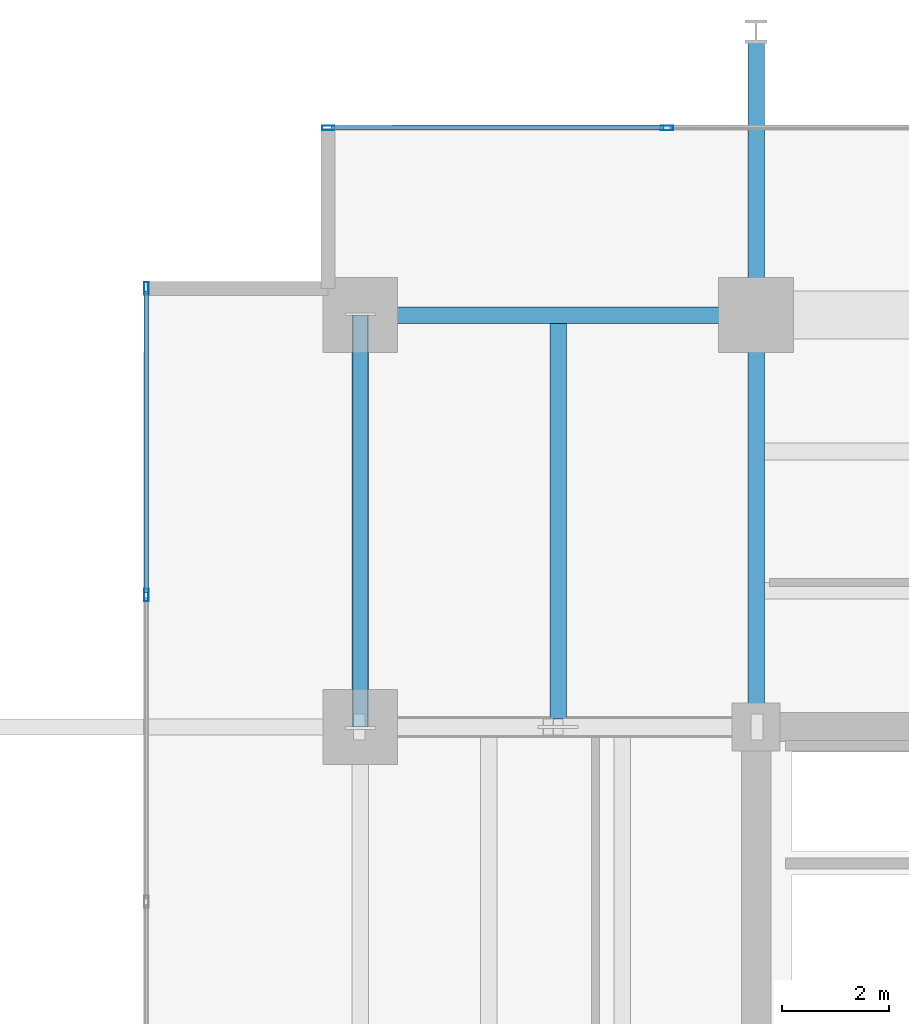
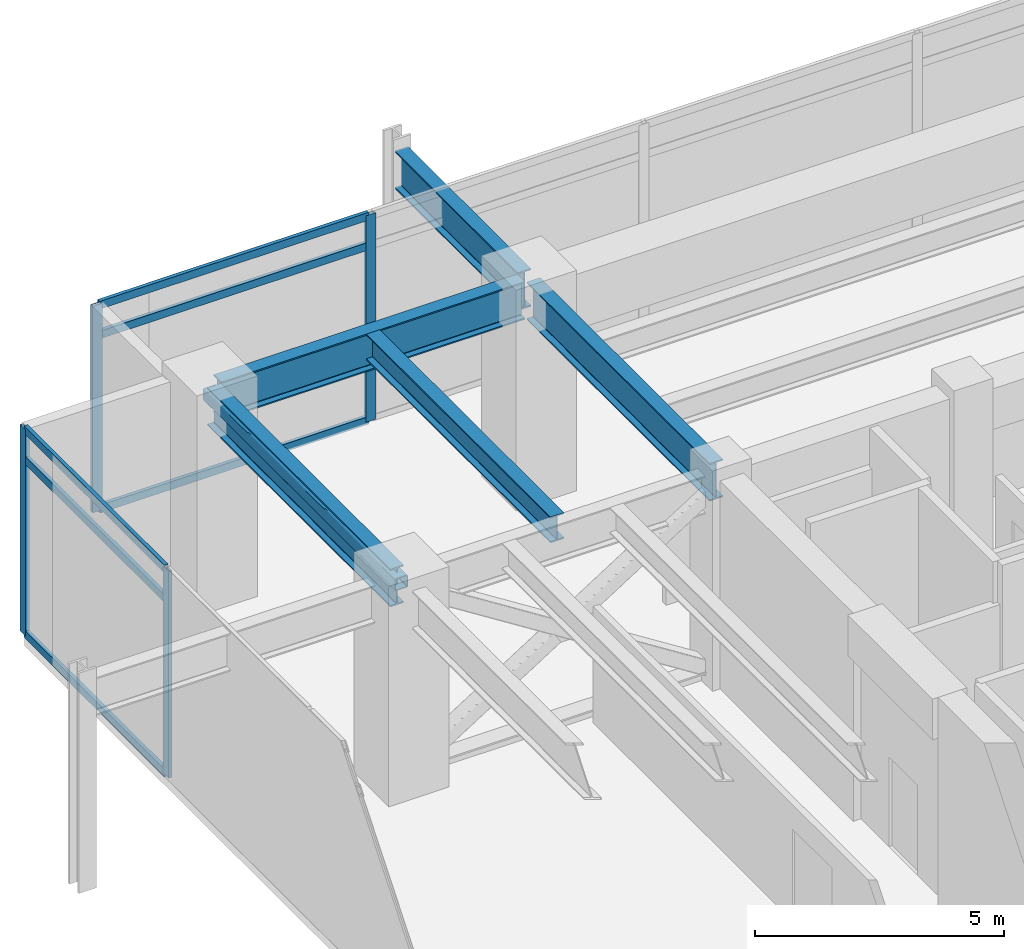
# One storey, part 12 of 21: 11 members, 5 beams, 2 elements without a shape of their own.
"""IFC4 building model written with IfcOpenShell, lengths in metres."""

from ifc_helpers import new_model, si_unit, direction, frame, origin, origin_2d, place, context, subcontext, project, spatial, hollow_rectangle, i_section, extrude, material, material_profile, profile_set, type_object, element, aggregate, save


model = new_model("IFC4")

# Units and contexts
model_context = context("Model", 3, precision=1e-05, world=origin(), true_north=direction((0.0, 1.0)))
body_context = subcontext(model_context, "Body", "Model", "MODEL_VIEW")
ifc_project = project(units=[si_unit("LENGTHUNIT", "METRE"), si_unit("AREAUNIT", "SQUARE_METRE"), si_unit("VOLUMEUNIT", "CUBIC_METRE"), si_unit("PLANEANGLEUNIT", "RADIAN"), si_unit("MASSUNIT", "GRAM", prefix="KILO")], contexts=[model_context])

# Site, building, storey
site_placement = place(None, origin())
site = spatial("IfcSite", under=ifc_project, at=site_placement, CompositionType="ELEMENT")
building_placement = place(site_placement, origin())
building = spatial("IfcBuilding", under=site, at=building_placement, Name="Kovane Verandah Tower", CompositionType="ELEMENT")
storey_placement = place(building_placement, frame((0.0, 0.0, 189.39990234375)))
storey = spatial("IfcBuildingStorey", under=building, at=storey_placement, Name="L44", CompositionType="ELEMENT", Elevation=189.39990234375)

# Beams
ifc_material_1 = material(Name="Steel S460", Category="steel")
ifc_material_profile_1 = material_profile(ifc_material_1, i_section(OverallWidth=0.311279296875, OverallDepth=0.6357421875, WebThickness=0.018310546875, FlangeThickness=0.031494140625, FilletRadius=0.0166015625, at=origin_2d()), Name="UB610x305x238")
ifc_profile_set_1 = profile_set([ifc_material_profile_1], Name="Steel S460")
beam_type_1 = type_object("IfcBeamType", Name="BM-UB610x238", PredefinedType="BEAM", material=ifc_profile_set_1)
beam_1_placement = place(storey_placement, frame((25.300048828125, 36.65185546875, 4.7822265625), z_axis=(0.0, 1.0, 0.0), x_axis=(-1.0, 0.0, 0.0)))
element("IfcBeam", 1, at=beam_1_placement, inside=storey, type_object=beam_type_1, Name="L44 Secondary Composite Joist J-NW1", PredefinedType="BEAM", context=body_context, shape_type="SweptSolid", body=[
    extrude(i_section(OverallWidth=0.311279296875, OverallDepth=0.6357421875, WebThickness=0.018310546875, FlangeThickness=0.031494140625, FilletRadius=0.0166015625, at=origin_2d()), origin(), (0.0, 0.0, 1.0), 7.396240234375),
])
ifc_material_profile_2 = material_profile(ifc_material_1, i_section(OverallWidth=0.3076171875, OverallDepth=0.926513671875, WebThickness=0.01953125, FlangeThickness=0.031982421875, FilletRadius=0.01904296875, at=origin_2d()), Name="UB914x305x289")
ifc_profile_set_2 = profile_set([ifc_material_profile_2], Name="Steel S460")
beam_type_2 = type_object("IfcBeamType", Name="BM-UB914x289", PredefinedType="BEAM", material=ifc_profile_set_2)
beam_2_placement = place(storey_placement, frame((21.780029296875, 44.199951171875, 4.63671875), z_axis=(1.0, 0.0, 0.0), x_axis=(0.0, 1.0, 0.0)))
element("IfcBeam", 2, at=beam_2_placement, inside=storey, type_object=beam_type_2, Name="L44 Primary Tower Girder G-RN1", PredefinedType="BEAM", context=body_context, shape_type="SweptSolid", body=[
    extrude(i_section(OverallWidth=0.3076171875, OverallDepth=0.926513671875, WebThickness=0.01953125, FlangeThickness=0.031982421875, FilletRadius=0.01904296875, at=origin_2d()), origin(), (0.0, 0.0, 1.0), 7.0400390625),
])
for number, where, z_axis, x_axis, name in (
    (3, (21.60009765625, 36.679931640625, 4.63671875), (0.0, 1.0, 0.0), (-1.0, 0.0, 0.0), "L44 Primary Tower Girder G-RW3"),
    (4, (29.0, 36.679931640625, 4.63671875), (0.0, 1.0, 0.0), (-1.0, 0.0, 0.0), "L44 Primary Tower Girder G-N1"),
):
    element("IfcBeam", number, at=place(storey_placement, frame(where, z_axis=z_axis, x_axis=x_axis)), inside=storey, type_object=beam_type_2, Name=name, PredefinedType="BEAM", context=body_context, shape_type="SweptSolid", body=[
        extrude(i_section(OverallWidth=0.3076171875, OverallDepth=0.926513671875, WebThickness=0.01953125, FlangeThickness=0.031982421875, FilletRadius=0.01904296875, at=origin_2d()), origin(), (0.0, 0.0, 1.0), 7.340087890625),
    ])
beam_3_placement = place(storey_placement, frame((29.0, 44.3798828125, 4.63671875), z_axis=(0.0, 1.0, 0.0), x_axis=(-1.0, 0.0, 0.0)))
element("IfcBeam", 5, at=beam_3_placement, inside=storey, type_object=beam_type_2, Name="L44 Primary Tower Girder G-VN1", PredefinedType="BEAM", context=body_context, shape_type="SweptSolid", body=[
    extrude(i_section(OverallWidth=0.3076171875, OverallDepth=0.926513671875, WebThickness=0.01953125, FlangeThickness=0.031982421875, FilletRadius=0.01904296875, at=origin_2d()), origin(), (0.0, 0.0, 1.0), 4.940185546875),
])

# Curtain wall, members
ifc_material_2 = material(Name="Champagne Anodised Aluminium Frame with Low-E Clear Laminated Glass", Category="aluminium")
curtain_wall_type = type_object("IfcCurtainWallType", Name="CW-SYS-04-WAIST", PredefinedType="NOTDEFINED", material=ifc_material_2)
curtain_wall_1_placement = place(storey_placement, origin())
curtain_wall_1 = element("IfcCurtainWall", 6, at=curtain_wall_1_placement, inside=storey, type_object=curtain_wall_type, Name="L44 N Unitised Curtain Wall", PredefinedType="NOTDEFINED")
ifc_material_3 = material(Name="Champagne Anodised Aluminium 6063-T6", Category="aluminium")
ifc_material_profile_3 = material_profile(ifc_material_3, hollow_rectangle(XDim=0.0849609375, YDim=0.22998046875, WallThickness=0.00390625, at=origin_2d()), Name="AL85x230x4")
ifc_profile_set_3 = profile_set([ifc_material_profile_3], Name="Champagne Anodised Aluminium 6063-T6")
member_type_1 = type_object("IfcMemberType", Name="CW-MUL-85x230", PredefinedType="MULLION", material=ifc_profile_set_3)
member_1_placement = place(storey_placement, frame((27.333251953125, 47.699951171875, 0.02001953125), z_axis=(0.0, 0.0, 1.0), x_axis=(0.0, 1.0, 0.0)))
member_1 = element("IfcMember", 7, at=member_1_placement, type_object=member_type_1, Name="L44 N Unitised Curtain Wall Mullion 6", PredefinedType="MULLION", context=body_context, shape_type="SweptSolid", body=[
    extrude(hollow_rectangle(XDim=0.0849609375, YDim=0.22998046875, WallThickness=0.00390625, at=origin_2d()), origin(), (0.0, 0.0, 1.0), 5.06005859375),
])
member_2_placement = place(storey_placement, frame((21.0, 47.699951171875, 0.02001953125), z_axis=(0.0, 0.0, 1.0), x_axis=(0.0, 1.0, 0.0)))
member_2 = element("IfcMember", 8, at=member_2_placement, type_object=member_type_1, Name="L44 N Unitised Curtain Wall Mullion 7", PredefinedType="MULLION", context=body_context, shape_type="SweptSolid", body=[
    extrude(hollow_rectangle(XDim=0.0849609375, YDim=0.22998046875, WallThickness=0.00390625, at=origin_2d()), origin(), (0.0, 0.0, 1.0), 5.06005859375),
])

curtain_wall_2_placement = place(storey_placement, origin())
curtain_wall_2 = element("IfcCurtainWall", 9, at=curtain_wall_2_placement, inside=storey, type_object=curtain_wall_type, Name="L44 W Unitised Curtain Wall", PredefinedType="NOTDEFINED")
member_3_placement = place(storey_placement, frame((17.60009765625, 44.699951171875, 0.02001953125), z_axis=(0.0, 0.0, 1.0), x_axis=(-1.0, 0.0, 0.0)))
member_3 = element("IfcMember", 10, at=member_3_placement, type_object=member_type_1, Name="L44 W Unitised Curtain Wall Mullion 1", PredefinedType="MULLION", context=body_context, shape_type="SweptSolid", body=[
    extrude(hollow_rectangle(XDim=0.0849609375, YDim=0.22998046875, WallThickness=0.00390625, at=origin_2d()), origin(), (0.0, 0.0, 1.0), 5.06005859375),
])
member_4_placement = place(storey_placement, frame((17.60009765625, 38.966796875, 0.02001953125), z_axis=(0.0, 0.0, 1.0), x_axis=(-1.0, 0.0, 0.0)))
member_4 = element("IfcMember", 11, at=member_4_placement, type_object=member_type_1, Name="L44 W Unitised Curtain Wall Mullion 2", PredefinedType="MULLION", context=body_context, shape_type="SweptSolid", body=[
    extrude(hollow_rectangle(XDim=0.0849609375, YDim=0.22998046875, WallThickness=0.00390625, at=origin_2d()), origin(), (0.0, 0.0, 1.0), 5.06005859375),
])

# Member
ifc_material_profile_4 = material_profile(ifc_material_3, hollow_rectangle(XDim=0.0849609375, YDim=0.18994140625, WallThickness=0.00390625, at=origin_2d()), Name="AL85x190x4")
ifc_profile_set_4 = profile_set([ifc_material_profile_4], Name="Champagne Anodised Aluminium 6063-T6")
member_type_2 = type_object("IfcMemberType", Name="CW-TRN-85x190", PredefinedType="USERDEFINED", material=ifc_profile_set_4)
member_5_placement = place(storey_placement, frame((27.283203125, 47.699951171875, 0.050048828125), z_axis=(-1.0, 0.0, 0.0), x_axis=(0.0, -1.0, 0.0)))
member_5 = element("IfcMember", 12, at=member_5_placement, type_object=member_type_2, Name="L44 N Unitised Curtain Wall Transom TB Bay 6", ObjectType="TRANSOM", PredefinedType="USERDEFINED", context=body_context, shape_type="SweptSolid", body=[
    extrude(hollow_rectangle(XDim=0.0849609375, YDim=0.18994140625, WallThickness=0.00390625, at=origin_2d()), origin(), (0.0, 0.0, 1.0), 6.233154296875),
])

member_6_placement = place(storey_placement, frame((27.283203125, 47.699951171875, 4.320068359375), z_axis=(-1.0, 0.0, 0.0), x_axis=(0.0, -1.0, 0.0)))
member_6 = element("IfcMember", 13, at=member_6_placement, type_object=member_type_2, Name="L44 N Unitised Curtain Wall Transom TM Bay 6", ObjectType="TRANSOM", PredefinedType="USERDEFINED", context=body_context, shape_type="SweptSolid", body=[
    extrude(hollow_rectangle(XDim=0.0849609375, YDim=0.18994140625, WallThickness=0.00390625, at=origin_2d()), origin(), (0.0, 0.0, 1.0), 6.233154296875),
])

member_7_placement = place(storey_placement, frame((27.283203125, 47.699951171875, 5.050048828125), z_axis=(-1.0, 0.0, 0.0), x_axis=(0.0, -1.0, 0.0)))
member_7 = element("IfcMember", 14, at=member_7_placement, type_object=member_type_2, Name="L44 N Unitised Curtain Wall Transom TT Bay 6", ObjectType="TRANSOM", PredefinedType="USERDEFINED", context=body_context, shape_type="SweptSolid", body=[
    extrude(hollow_rectangle(XDim=0.0849609375, YDim=0.18994140625, WallThickness=0.00390625, at=origin_2d()), origin(), (0.0, 0.0, 1.0), 6.233154296875),
])

aggregate(curtain_wall_1, [member_1, member_2, member_5, member_6, member_7])

member_8_placement = place(storey_placement, frame((17.60009765625, 44.64990234375, 0.050048828125), z_axis=(0.0, -1.0, 0.0), x_axis=(1.0, 0.0, 0.0)))
member_8 = element("IfcMember", 15, at=member_8_placement, type_object=member_type_2, Name="L44 W Unitised Curtain Wall Transom TB Bay 1", ObjectType="TRANSOM", PredefinedType="USERDEFINED", context=body_context, shape_type="SweptSolid", body=[
    extrude(hollow_rectangle(XDim=0.0849609375, YDim=0.18994140625, WallThickness=0.00390625, at=origin_2d()), origin(), (0.0, 0.0, 1.0), 5.63330078125),
])

member_9_placement = place(storey_placement, frame((17.60009765625, 44.64990234375, 4.320068359375), z_axis=(0.0, -1.0, 0.0), x_axis=(1.0, 0.0, 0.0)))
member_9 = element("IfcMember", 16, at=member_9_placement, type_object=member_type_2, Name="L44 W Unitised Curtain Wall Transom TM Bay 1", ObjectType="TRANSOM", PredefinedType="USERDEFINED", context=body_context, shape_type="SweptSolid", body=[
    extrude(hollow_rectangle(XDim=0.0849609375, YDim=0.18994140625, WallThickness=0.00390625, at=origin_2d()), origin(), (0.0, 0.0, 1.0), 5.63330078125),
])

member_10_placement = place(storey_placement, frame((17.60009765625, 44.64990234375, 5.050048828125), z_axis=(0.0, -1.0, 0.0), x_axis=(1.0, 0.0, 0.0)))
member_10 = element("IfcMember", 17, at=member_10_placement, type_object=member_type_2, Name="L44 W Unitised Curtain Wall Transom TT Bay 1", ObjectType="TRANSOM", PredefinedType="USERDEFINED", context=body_context, shape_type="SweptSolid", body=[
    extrude(hollow_rectangle(XDim=0.0849609375, YDim=0.18994140625, WallThickness=0.00390625, at=origin_2d()), origin(), (0.0, 0.0, 1.0), 5.63330078125),
])

aggregate(curtain_wall_2, [member_3, member_4, member_8, member_9, member_10])

ifc_material_profile_5 = material_profile(ifc_material_1, hollow_rectangle(XDim=0.300048828125, YDim=0.300048828125, WallThickness=0.01611328125, InnerFilletRadius=0.01611328125, OuterFilletRadius=0.031982421875, at=origin_2d()), Name="SHS300x300x16")
ifc_profile_set_5 = profile_set([ifc_material_profile_5], Name="Steel S460")
member_type_3 = type_object("IfcMemberType", Name="MEM-BR-SHS300", PredefinedType="BRACE", material=ifc_profile_set_5)
member_11_placement = place(storey_placement, frame((21.60009765625, 36.5, 4.820068359375), z_axis=(0.0, 1.0, 0.0), x_axis=(-1.0, 0.0, 0.0)))
element("IfcMember", 18, at=member_11_placement, inside=storey, type_object=member_type_3, Name="L44 Belt-Truss Ring Chord BW2", PredefinedType="BRACE", context=body_context, shape_type="SweptSolid", body=[
    extrude(hollow_rectangle(XDim=0.300048828125, YDim=0.300048828125, WallThickness=0.01611328125, InnerFilletRadius=0.01611328125, OuterFilletRadius=0.031982421875, at=origin_2d()), origin(), (0.0, 0.0, 1.0), 7.699951171875),
])

save(model, "model.ifc")
